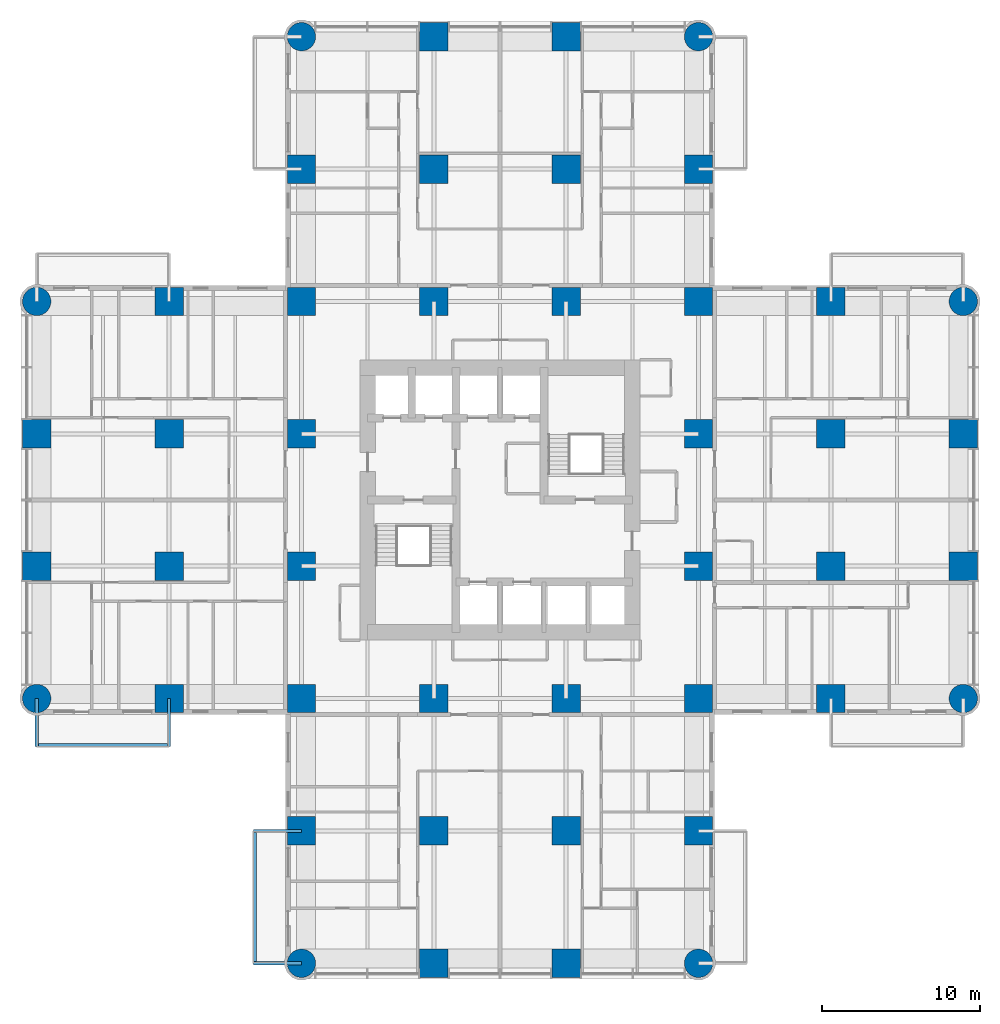
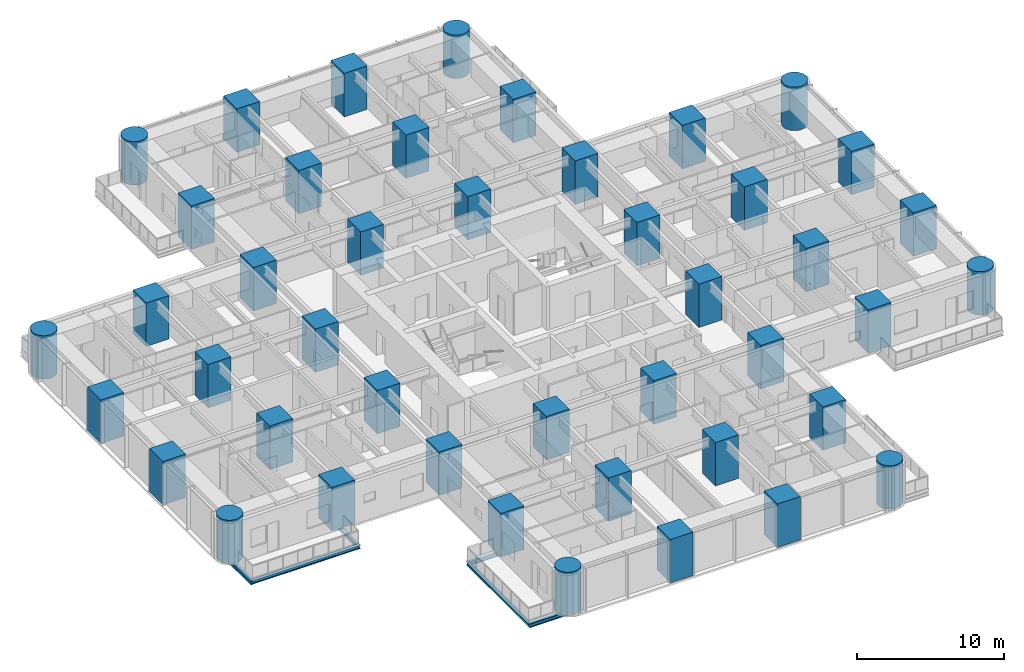
# One storey, part 1 of 17: 44 columns, 6 beams.
"""IFC4 building model written with IfcOpenShell, lengths in metres."""

import ifcopenshell
import ifcopenshell.guid

model = None  # the IFC model being written
_history = None  # IfcOwnerHistory: only IFC2X3 demands one
_inside = {}  # id of a spatial element -> (the spatial element, [elements in it])
_under = {}  # id of a project, library or spatial element -> (it, [spatial elements below it])
_declared = {}  # id of a project -> (the project, [libraries it declares])
_typed = {}  # id of a type object -> (the type object, [elements of that type])
_made_of = {}  # id of a material, layer set ... -> (it, [elements and type objects made of it])


def new_model(schema):
    """Start an empty IFC model of exactly this schema.

    Asked for "IFC4X3", IfcOpenShell would pick the latest addendum, in which some entities
    have other attributes; the version numbers below select the first issue.
    IFC2X3 requires an IfcOwnerHistory on every rooted entity: one is made here for all.
    """
    global model, _history
    if schema == "IFC4X3":
        model = ifcopenshell.file(schema_version=(4, 3, 0, 0))
    else:
        model = ifcopenshell.file(schema=schema)
    _inside.clear()
    _under.clear()
    _declared.clear()
    _typed.clear()
    _made_of.clear()
    _history = None
    if model.schema == "IFC2X3":
        org = make("IfcOrganization", Name="unknown")
        user = make(
            "IfcPersonAndOrganization",
            ThePerson=make("IfcPerson", FamilyName="unknown"),
            TheOrganization=org,
        )
        app = make(
            "IfcApplication",
            ApplicationDeveloper=org,
            Version="unknown",
            ApplicationFullName="unknown",
            ApplicationIdentifier="unknown",
        )
        _history = make(
            "IfcOwnerHistory",
            OwningUser=user,
            OwningApplication=app,
            ChangeAction="ADDED",
            CreationDate=0,
        )
    return model


def make(cls, **values):
    """One entity of the class cls with the attributes given. An attribute that is None is left unset."""
    return model.create_entity(
        cls, **{name: value for name, value in values.items() if value is not None}
    )


def rooted(cls, **values):
    """An entity with a GlobalId (a new one), such as an element, a storey or a relation."""
    return make(cls, GlobalId=ifcopenshell.guid.new(), OwnerHistory=_history, **values)


def si_unit(unit_type, name, prefix=None):
    """IfcSIUnit, for example si_unit("LENGTHUNIT", "METRE", prefix="MILLI")."""
    return make("IfcSIUnit", UnitType=unit_type, Prefix=prefix, Name=name)


def assignment(units):
    """IfcUnitAssignment: the units of a project."""
    return None if units is None else make("IfcUnitAssignment", Units=units)


def point(xyz):
    """IfcCartesianPoint."""
    return None if xyz is None else make("IfcCartesianPoint", Coordinates=xyz)


def direction(xyz):
    """IfcDirection."""
    return None if xyz is None else make("IfcDirection", DirectionRatios=xyz)


def frame(location, z_axis=None, x_axis=None):
    """IfcAxis2Placement3D, a coordinate frame: its origin and axes. An axis left out is left unset."""
    return make(
        "IfcAxis2Placement3D",
        Location=point(location),
        Axis=direction(z_axis),
        RefDirection=direction(x_axis),
    )


def frame_2d(location, x_axis=None):
    """IfcAxis2Placement2D, a coordinate frame in the plane: its origin and x axis."""
    return make(
        "IfcAxis2Placement2D", Location=point(location), RefDirection=direction(x_axis)
    )


def origin():
    """The frame at (0, 0, 0) with its axes left unset."""
    return frame((0.0, 0.0, 0.0))


def origin_2d():
    """The frame at (0, 0) in the plane with its x axis left unset."""
    return frame_2d((0.0, 0.0))


def place(relative_to, where):
    """IfcLocalPlacement: puts the frame where relative to a parent placement (None: the world)."""
    return make(
        "IfcLocalPlacement", PlacementRelTo=relative_to, RelativePlacement=where
    )


def context(
    kind, dimensions, precision=None, world=None, true_north=None, identifier=None
):
    """IfcGeometricRepresentationContext, for example the 3D "Model" context."""
    return make(
        "IfcGeometricRepresentationContext",
        ContextIdentifier=identifier,
        ContextType=kind,
        CoordinateSpaceDimension=dimensions,
        Precision=precision,
        WorldCoordinateSystem=world,
        TrueNorth=true_north,
    )


def subcontext(parent, identifier, kind, view, scale=None):
    """IfcGeometricRepresentationSubContext, for example "Body" below "Model"."""
    return make(
        "IfcGeometricRepresentationSubContext",
        ContextIdentifier=identifier,
        ContextType=kind,
        ParentContext=parent,
        TargetScale=scale,
        TargetView=view,
    )


def project(units=None, contexts=None):
    """IfcProject with its units and contexts."""
    return rooted(
        "IfcProject",
        Name="project",
        RepresentationContexts=contexts,
        UnitsInContext=assignment(units),
    )


def spatial(cls, under=None, at=None, **own):
    """A site, building, storey or space (cls), placed at a placement, below another one or the project."""
    s = rooted(cls, ObjectPlacement=at, **own)
    if under is not None:
        _under.setdefault(under.id(), (under, []))[1].append(s)
    return s


def profile(cls, at=None, kind="AREA", **sizes):
    """A parametric profile (cls). Its sizes go by their IFC names, for example OverallWidth=200.0."""
    return make(cls, ProfileType=kind, Position=at, **sizes)


def rectangle(**sizes):
    """IfcRectangleProfileDef."""
    return profile("IfcRectangleProfileDef", **sizes)


def circle(**sizes):
    """IfcCircleProfileDef."""
    return profile("IfcCircleProfileDef", **sizes)


def i_section(**sizes):
    """IfcIShapeProfileDef."""
    return profile("IfcIShapeProfileDef", **sizes)


def extrude(swept, where, along, depth):
    """IfcExtrudedAreaSolid: the profile swept, set in the frame where, extruded along a direction by depth."""
    return make(
        "IfcExtrudedAreaSolid",
        SweptArea=swept,
        Position=where,
        ExtrudedDirection=direction(along),
        Depth=depth,
    )


def shape(context_of_items, identifier, shape_type, items):
    """IfcShapeRepresentation: the items that make up one representation, for example the "Body"."""
    return make(
        "IfcShapeRepresentation",
        ContextOfItems=context_of_items,
        RepresentationIdentifier=identifier,
        RepresentationType=shape_type,
        Items=items,
    )


def material(Name=None, Category=None):
    """IfcMaterial."""
    return make("IfcMaterial", Name=Name, Category=Category)


def material_profile(
    of_material, cross_section, Name=None, Category=None, Priority=None
):
    """IfcMaterialProfile: a cross section and its material."""
    return make(
        "IfcMaterialProfile",
        Name=Name,
        Material=of_material,
        Profile=cross_section,
        Priority=Priority,
        Category=Category,
    )


def profile_set(profiles, Name=None, composite=None):
    """IfcMaterialProfileSet."""
    return make(
        "IfcMaterialProfileSet",
        Name=Name,
        MaterialProfiles=profiles,
        CompositeProfile=composite,
    )


def made_of(thing, what):
    """Note that an element or type object is made of a material, layer set ...; save() writes the relation."""
    if what is not None:
        _made_of.setdefault(what.id(), (what, []))[1].append(thing)
    return thing


def type_object(cls, material=None, **own):
    """A type object (cls), such as IfcWallType, which elements share."""
    return made_of(rooted(cls, **own), material)


def element(
    cls,
    number,
    at=None,
    inside=None,
    cuts=None,
    type_object=None,
    material=None,
    context=None,
    identifier="Body",
    shape_type=None,
    held_by="IfcProductDefinitionShape",
    body=None,
    shapes=None,
    **own,
):
    """One element of the class cls, such as IfcWall. Its Tag is "e" and its number.

    at: its placement. inside: the storey or other place that contains it. cuts: it is an
    opening in that element (IfcRelVoidsElement). A single representation is given by context,
    identifier, shape_type and body (its items); several are given by shapes. held_by: the class
    of the entity that holds the representations. save() writes the other relations.
    """
    e = rooted(cls, Tag="e%d" % number, ObjectPlacement=at, **own)
    if body is not None:
        shapes = [shape(context, identifier, shape_type, body)]
    if shapes is not None:
        e.Representation = make(held_by, Representations=shapes)
    if inside is not None:
        _inside.setdefault(inside.id(), (inside, []))[1].append(e)
    if cuts is not None:
        rooted(
            "IfcRelVoidsElement", RelatingBuildingElement=cuts, RelatedOpeningElement=e
        )
    if type_object is not None:
        _typed.setdefault(type_object.id(), (type_object, []))[1].append(e)
    return made_of(e, material)


def aggregate(whole, parts):
    """IfcRelAggregates: a whole, such as a stair, and the parts it consists of."""
    return rooted("IfcRelAggregates", RelatingObject=whole, RelatedObjects=parts)


def save(model, path):
    """Write the relations noted so far, then the file.

    IfcRelAggregates (storeys below a building ...), IfcRelContainedInSpatialStructure (elements
    in a storey), IfcRelDefinesByType, IfcRelAssociatesMaterial and IfcRelDeclares: one each for
    every whole, place, type object, material and project.
    """
    for whole, parts in _under.values():
        aggregate(whole, parts)
    for where, things in _inside.values():
        rooted(
            "IfcRelContainedInSpatialStructure",
            RelatedElements=things,
            RelatingStructure=where,
        )
    for kind, things in _typed.values():
        rooted("IfcRelDefinesByType", RelatedObjects=things, RelatingType=kind)
    for what, things in _made_of.values():
        rooted("IfcRelAssociatesMaterial", RelatedObjects=things, RelatingMaterial=what)
    for by, libraries in _declared.values():
        rooted("IfcRelDeclares", RelatingContext=by, RelatedDefinitions=libraries)
    model.write(path)


model = new_model("IFC4")

# Units and contexts
model_context = context("Model", 3, precision=1e-05, world=origin(), true_north=direction((0.0, 1.0)))
body_context = subcontext(model_context, "Body", "Model", "MODEL_VIEW")
ifc_project = project(units=[si_unit("LENGTHUNIT", "METRE"), si_unit("AREAUNIT", "SQUARE_METRE"), si_unit("VOLUMEUNIT", "CUBIC_METRE"), si_unit("PLANEANGLEUNIT", "RADIAN"), si_unit("MASSUNIT", "GRAM", prefix="KILO")], contexts=[model_context])

# Site, building, storey
site_placement = place(None, origin())
site = spatial("IfcSite", under=ifc_project, at=site_placement, CompositionType="ELEMENT")
building_placement = place(site_placement, origin())
building = spatial("IfcBuilding", under=site, at=building_placement, Name="Torre Alcanfor", CompositionType="ELEMENT")
storey_placement = place(building_placement, frame((0.0, 0.0, 56.10009765625)))
storey = spatial("IfcBuildingStorey", under=building, at=storey_placement, Name="L13", CompositionType="ELEMENT", Elevation=56.10009765625)

# Columns
ifc_material_1 = material(Name="Concrete f'c 70 MPa", Category="concrete")
ifc_material_profile_1 = material_profile(ifc_material_1, rectangle(XDim=1.800048828125, YDim=1.800048828125, at=origin_2d()), Name="1800x1800")
ifc_profile_set_1 = profile_set([ifc_material_profile_1], Name="Concrete f'c 70 MPa")
column_type_1 = type_object("IfcColumnType", Name="RC column 1800x1800 f'c70", PredefinedType="COLUMN", material=ifc_profile_set_1)
for number, where, z_axis, x_axis, name in (
    (1, (0.0, 25.199951171875, 0.0), (0.0, 0.0, 1.0), (1.0, 0.0, 0.0), "Column 1/F L13"),
    (2, (0.0, 33.60009765625, 0.0), (0.0, 0.0, 1.0), (1.0, 0.0, 0.0), "Column 1/G L13"),
    (3, (8.39990234375, 16.800048828125, 0.0), (0.0, 0.0, 1.0), (1.0, 0.0, 0.0), "Column 2/E L13"),
    (4, (8.39990234375, 25.199951171875, 0.0), (0.0, 0.0, 1.0), (1.0, 0.0, 0.0), "Column 2/F L13"),
    (5, (8.39990234375, 33.60009765625, 0.0), (0.0, 0.0, 1.0), (1.0, 0.0, 0.0), "Column 2/G L13"),
    (6, (8.39990234375, 42.0, 0.0), (0.0, 0.0, 1.0), (1.0, 0.0, 0.0), "Column 2/H L13"),
    (7, (16.800048828125, 8.39990234375, 0.0), (0.0, 0.0, 1.0), (1.0, 0.0, 0.0), "Column 3/D L13"),
    (8, (16.800048828125, 16.800048828125, 0.0), (0.0, 0.0, 1.0), (1.0, 0.0, 0.0), "Column 3/E L13"),
    (9, (16.800048828125, 25.199951171875, 0.0), (0.0, 0.0, 1.0), (1.0, 0.0, 0.0), "Column 3/F L13"),
    (10, (16.800048828125, 33.60009765625, 0.0), (0.0, 0.0, 1.0), (1.0, 0.0, 0.0), "Column 3/G L13"),
    (11, (16.800048828125, 42.0, 0.0), (0.0, 0.0, 1.0), (1.0, 0.0, 0.0), "Column 3/H L13"),
    (12, (16.800048828125, 50.39990234375, 0.0), (0.0, 0.0, 1.0), (1.0, 0.0, 0.0), "Column 3/J L13"),
    (13, (25.199951171875, 0.0, 0.0), (0.0, 0.0, 1.0), (1.0, 0.0, 0.0), "Column 4/C L13"),
    (14, (25.199951171875, 8.39990234375, 0.0), (0.0, 0.0, 1.0), (1.0, 0.0, 0.0), "Column 4/D L13"),
    (15, (25.199951171875, 16.800048828125, 0.0), (0.0, 0.0, 1.0), (1.0, 0.0, 0.0), "Column 4/E L13"),
    (16, (25.199951171875, 42.0, 0.0), (0.0, 0.0, 1.0), (1.0, 0.0, 0.0), "Column 4/H L13"),
    (17, (25.199951171875, 50.39990234375, 0.0), (0.0, 0.0, 1.0), (1.0, 0.0, 0.0), "Column 4/J L13"),
    (18, (25.199951171875, 58.800048828125, 0.0), (0.0, 0.0, 1.0), (1.0, 0.0, 0.0), "Column 4/K L13"),
    (19, (33.60009765625, 0.0, 0.0), (0.0, 0.0, 1.0), (1.0, 0.0, 0.0), "Column 5/C L13"),
    (20, (33.60009765625, 8.39990234375, 0.0), (0.0, 0.0, 1.0), (1.0, 0.0, 0.0), "Column 5/D L13"),
    (21, (33.60009765625, 16.800048828125, 0.0), (0.0, 0.0, 1.0), (1.0, 0.0, 0.0), "Column 5/E L13"),
    (22, (33.60009765625, 42.0, 0.0), (0.0, 0.0, 1.0), (1.0, 0.0, 0.0), "Column 5/H L13"),
    (23, (33.60009765625, 50.39990234375, 0.0), (0.0, 0.0, 1.0), (1.0, 0.0, 0.0), "Column 5/J L13"),
    (24, (33.60009765625, 58.800048828125, 0.0), (0.0, 0.0, 1.0), (1.0, 0.0, 0.0), "Column 5/K L13"),
    (25, (42.0, 8.39990234375, 0.0), (0.0, 0.0, 1.0), (1.0, 0.0, 0.0), "Column 6/D L13"),
    (26, (42.0, 16.800048828125, 0.0), (0.0, 0.0, 1.0), (1.0, 0.0, 0.0), "Column 6/E L13"),
    (27, (42.0, 25.199951171875, 0.0), (0.0, 0.0, 1.0), (1.0, 0.0, 0.0), "Column 6/F L13"),
    (28, (42.0, 33.60009765625, 0.0), (0.0, 0.0, 1.0), (1.0, 0.0, 0.0), "Column 6/G L13"),
    (29, (42.0, 42.0, 0.0), (0.0, 0.0, 1.0), (1.0, 0.0, 0.0), "Column 6/H L13"),
    (30, (42.0, 50.39990234375, 0.0), (0.0, 0.0, 1.0), (1.0, 0.0, 0.0), "Column 6/J L13"),
    (31, (50.39990234375, 16.800048828125, 0.0), (0.0, 0.0, 1.0), (1.0, 0.0, 0.0), "Column 7/E L13"),
    (32, (50.39990234375, 25.199951171875, 0.0), (0.0, 0.0, 1.0), (1.0, 0.0, 0.0), "Column 7/F L13"),
    (33, (50.39990234375, 33.60009765625, 0.0), (0.0, 0.0, 1.0), (1.0, 0.0, 0.0), "Column 7/G L13"),
    (34, (50.39990234375, 42.0, 0.0), (0.0, 0.0, 1.0), (1.0, 0.0, 0.0), "Column 7/H L13"),
    (35, (58.800048828125, 25.199951171875, 0.0), (0.0, 0.0, 1.0), (1.0, 0.0, 0.0), "Column 8/F L13"),
    (36, (58.800048828125, 33.60009765625, 0.0), (0.0, 0.0, 1.0), (1.0, 0.0, 0.0), "Column 8/G L13"),
):
    element("IfcColumn", number, at=place(storey_placement, frame(where, z_axis=z_axis, x_axis=x_axis)), inside=storey, type_object=column_type_1, Name=name, PredefinedType="COLUMN", context=body_context, shape_type="SweptSolid", body=[
        extrude(rectangle(XDim=1.800048828125, YDim=1.800048828125, at=origin_2d()), origin(), (0.0, 0.0, 1.0), 3.599853515625),
    ])
ifc_material_2 = material(Name="Concrete f'c 70 MPa", Category="concrete")
ifc_material_profile_2 = material_profile(ifc_material_2, circle(Radius=0.89990234375, at=origin_2d()), Name="D1800")
ifc_profile_set_2 = profile_set([ifc_material_profile_2], Name="Concrete f'c 70 MPa")
column_type_2 = type_object("IfcColumnType", Name="RC column D1800 f'c70", PredefinedType="COLUMN", material=ifc_profile_set_2)
for number, where, z_axis, x_axis, name in (
    (37, (0.0, 16.800048828125, 0.0), (0.0, 0.0, 1.0), (1.0, 0.0, 0.0), "Column 1/E L13"),
    (38, (0.0, 42.0, 0.0), (0.0, 0.0, 1.0), (1.0, 0.0, 0.0), "Column 1/H L13"),
    (39, (16.800048828125, 0.0, 0.0), (0.0, 0.0, 1.0), (1.0, 0.0, 0.0), "Column 3/C L13"),
    (40, (16.800048828125, 58.800048828125, 0.0), (0.0, 0.0, 1.0), (1.0, 0.0, 0.0), "Column 3/K L13"),
    (41, (42.0, 0.0, 0.0), (0.0, 0.0, 1.0), (1.0, 0.0, 0.0), "Column 6/C L13"),
    (42, (42.0, 58.800048828125, 0.0), (0.0, 0.0, 1.0), (1.0, 0.0, 0.0), "Column 6/K L13"),
    (43, (58.800048828125, 16.800048828125, 0.0), (0.0, 0.0, 1.0), (1.0, 0.0, 0.0), "Column 8/E L13"),
    (44, (58.800048828125, 42.0, 0.0), (0.0, 0.0, 1.0), (1.0, 0.0, 0.0), "Column 8/H L13"),
):
    element("IfcColumn", number, at=place(storey_placement, frame(where, z_axis=z_axis, x_axis=x_axis)), inside=storey, type_object=column_type_2, Name=name, PredefinedType="COLUMN", context=body_context, shape_type="SweptSolid", body=[
        extrude(circle(Radius=0.89990234375, at=origin_2d()), origin(), (0.0, 0.0, 1.0), 3.599853515625),
    ])

# Beams
ifc_material_3 = material(Name="Steel ASTM A992 Grade 50", Category="steel")
ifc_material_profile_3 = material_profile(ifc_material_3, i_section(OverallWidth=0.205322265625, OverallDepth=0.309814453125, WebThickness=0.00927734375, FlangeThickness=0.016357421875, at=origin_2d()), Name="W12x50")
ifc_profile_set_3 = profile_set([ifc_material_profile_3], Name="Steel ASTM A992 Grade 50")
beam_type_1 = type_object("IfcBeamType", Name="Balcony cantilever beam W12x50", PredefinedType="BEAM", material=ifc_profile_set_3)
for number, where, z_axis, x_axis, name in (
    (45, (16.800048828125, 8.39990234375, -0.35498046875), (-1.0, 0.0, 0.0), (0.0, -1.0, 0.0), "Balcony cantilever beam L13-S2 1"),
    (46, (16.800048828125, 0.0, -0.35498046875), (-1.0, 0.0, 0.0), (0.0, -1.0, 0.0), "Balcony cantilever beam L13-S2 2"),
    (47, (8.39990234375, 16.800048828125, -0.35498046875), (0.0, -1.0, 0.0), (1.0, 0.0, 0.0), "Balcony cantilever beam L13-W1 1"),
    (48, (0.0, 16.800048828125, -0.35498046875), (0.0, -1.0, 0.0), (1.0, 0.0, 0.0), "Balcony cantilever beam L13-W1 2"),
):
    element("IfcBeam", number, at=place(storey_placement, frame(where, z_axis=z_axis, x_axis=x_axis)), inside=storey, type_object=beam_type_1, Name=name, PredefinedType="BEAM", context=body_context, shape_type="SweptSolid", body=[
        extrude(i_section(OverallWidth=0.205322265625, OverallDepth=0.309814453125, WebThickness=0.00927734375, FlangeThickness=0.016357421875, at=origin_2d()), origin(), (0.0, 0.0, 1.0), 3.050048828125),
    ])
ifc_material_4 = material(Name="Steel ASTM A992 Grade 50", Category="steel")
ifc_material_profile_4 = material_profile(ifc_material_4, i_section(OverallWidth=0.203369140625, OverallDepth=0.30224609375, WebThickness=0.007568359375, FlangeThickness=0.01318359375, at=origin_2d()), Name="W12x40")
ifc_profile_set_4 = profile_set([ifc_material_profile_4], Name="Steel ASTM A992 Grade 50")
beam_type_2 = type_object("IfcBeamType", Name="Balcony edge trimmer W12x40", PredefinedType="BEAM", material=ifc_profile_set_4)
for number, where, z_axis, x_axis, name in (
    (49, (13.851806640625, 8.39990234375, -0.351318359375), (0.0, -1.0, 0.0), (1.0, 0.0, 0.0), "Balcony edge trimmer L13-S2"),
    (50, (8.39990234375, 13.851806640625, -0.351318359375), (-1.0, 0.0, 0.0), (0.0, -1.0, 0.0), "Balcony edge trimmer L13-W1"),
):
    element("IfcBeam", number, at=place(storey_placement, frame(where, z_axis=z_axis, x_axis=x_axis)), inside=storey, type_object=beam_type_2, Name=name, PredefinedType="BEAM", context=body_context, shape_type="SweptSolid", body=[
        extrude(i_section(OverallWidth=0.203369140625, OverallDepth=0.30224609375, WebThickness=0.007568359375, FlangeThickness=0.01318359375, at=origin_2d()), origin(), (0.0, 0.0, 1.0), 8.39990234375),
    ])

save(model, "model.ifc")
